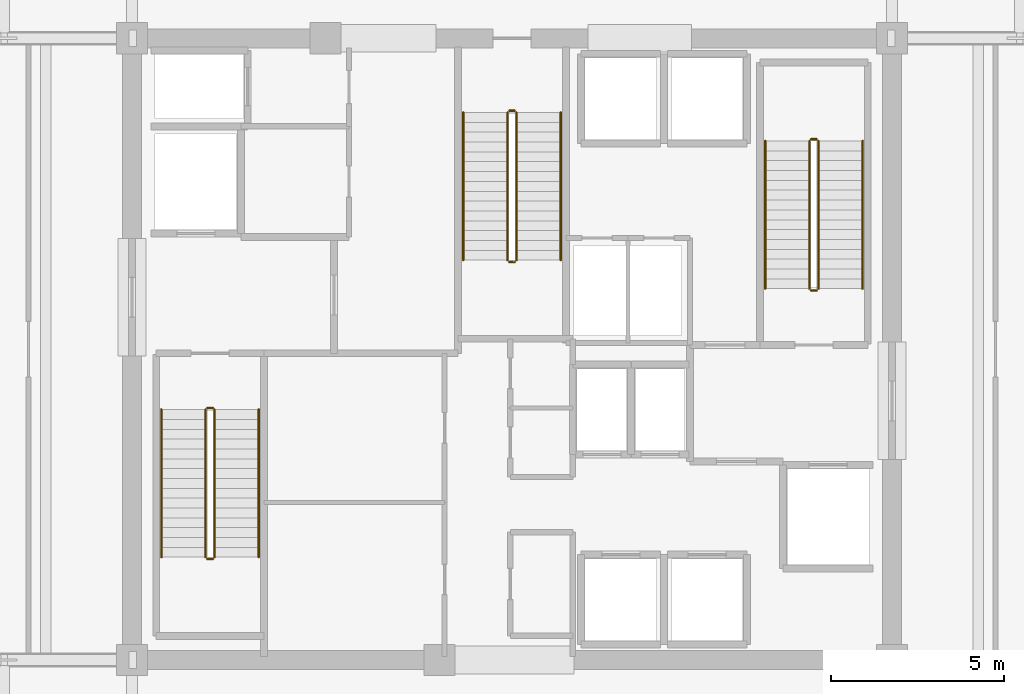
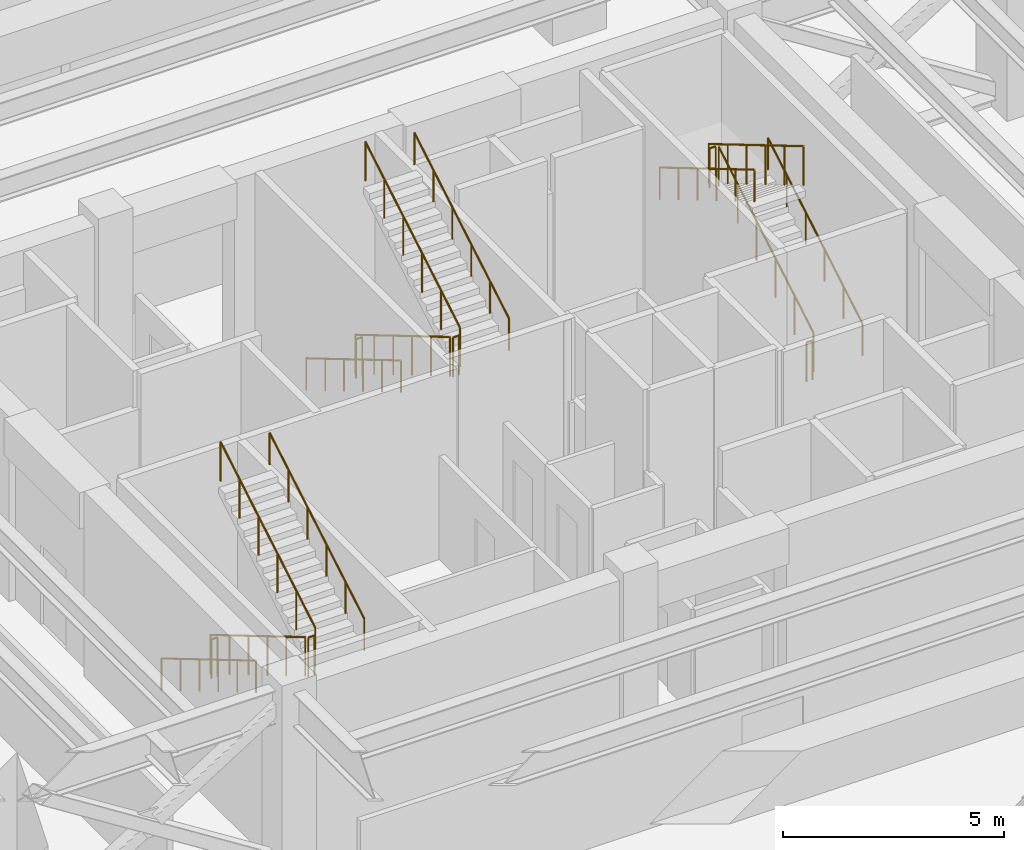
# One storey, part 21 of 21: 18 railings.
"""IFC4 building model written with IfcOpenShell, lengths in metres."""

from ifc_helpers import new_model, si_unit, direction, frame, origin, origin_2d, place, context, subcontext, project, spatial, circle, extrude, material, type_object, element, save


model = new_model("IFC4")

# Units and contexts
model_context = context("Model", 3, precision=1e-05, world=origin(), true_north=direction((0.0, 1.0)))
body_context = subcontext(model_context, "Body", "Model", "MODEL_VIEW")
ifc_project = project(units=[si_unit("LENGTHUNIT", "METRE"), si_unit("AREAUNIT", "SQUARE_METRE"), si_unit("VOLUMEUNIT", "CUBIC_METRE"), si_unit("PLANEANGLEUNIT", "RADIAN"), si_unit("MASSUNIT", "GRAM", prefix="KILO")], contexts=[model_context])

# Site, building, storey
site_placement = place(None, origin())
site = spatial("IfcSite", under=ifc_project, at=site_placement, CompositionType="ELEMENT")
building_placement = place(site_placement, origin())
building = spatial("IfcBuilding", under=site, at=building_placement, Name="Kovane Verandah Tower", CompositionType="ELEMENT")
storey_placement = place(building_placement, frame((0.0, 0.0, 189.39990234375)))
storey = spatial("IfcBuildingStorey", under=building, at=storey_placement, Name="L44", CompositionType="ELEMENT", Elevation=189.39990234375)

# Railings
ifc_material_1 = material(Name="Brushed Stainless Steel Handrail", Category="steel")
railing_type_1 = type_object("IfcRailingType", Name="RL-HAND-920", PredefinedType="HANDRAIL", material=ifc_material_1)
railing_1_placement = place(storey_placement, frame((29.85009765625, 25.75, 0.1689453125)))
element("IfcRailing", 1, at=railing_1_placement, inside=storey, type_object=railing_type_1, Name="L44 ST-01 stair handrail 1", PredefinedType="HANDRAIL", context=body_context, shape_type="SweptSolid", body=[
    extrude(circle(Radius=0.02392578125, at=origin_2d()), frame((0.0, 0.0, 0.8759765625), z_axis=(0.0, -0.860470286479, 0.509500624227), x_axis=(1.0, 0.0, 0.0)), (0.0, 0.0, 1.0), 4.968017578125),
    extrude(circle(Radius=0.02099609375, at=origin_2d()), origin(), (0.0, 0.0, 1.0), 0.851806640625),
    extrude(circle(Radius=0.02099609375, at=origin_2d()), frame((0.0, -0.85498046875, 0.50634765625)), (0.0, 0.0, 1.0), 0.851806640625),
    extrude(circle(Radius=0.02099609375, at=origin_2d()), frame((0.0, -1.7099609375, 1.012451171875)), (0.0, 0.0, 1.0), 0.851806640625),
    extrude(circle(Radius=0.02099609375, at=origin_2d()), frame((0.0, -2.56494140625, 1.518798828125)), (0.0, 0.0, 1.0), 0.851806640625),
    extrude(circle(Radius=0.02099609375, at=origin_2d()), frame((0.0, -3.419921875, 2.02490234375)), (0.0, 0.0, 1.0), 0.851806640625),
    extrude(circle(Radius=0.02099609375, at=origin_2d()), frame((0.0, -4.27490234375, 2.53125)), (0.0, 0.0, 1.0), 0.851806640625),
])
for number, where, name in (
    (2, (32.669921875, 21.47509765625, 2.868896484375), "L44 ST-01 stair handrail 2"),
    (3, (50.14990234375, 29.25, 0.1689453125), "L44 ST-02 stair handrail 1"),
):
    element("IfcRailing", number, at=place(storey_placement, frame(where)), inside=storey, type_object=railing_type_1, Name=name, PredefinedType="HANDRAIL", context=body_context, shape_type="SweptSolid", body=[
        extrude(circle(Radius=0.02392578125, at=origin_2d()), frame((0.0, 0.0, 0.8759765625), z_axis=(0.0, 0.860470286479, 0.509500624227), x_axis=(-1.0, 0.0, 0.0)), (0.0, 0.0, 1.0), 4.968017578125),
        extrude(circle(Radius=0.02099609375, at=origin_2d()), origin(), (0.0, 0.0, 1.0), 0.851806640625),
        extrude(circle(Radius=0.02099609375, at=origin_2d()), frame((0.0, 0.85498046875, 0.50634765625)), (0.0, 0.0, 1.0), 0.851806640625),
        extrude(circle(Radius=0.02099609375, at=origin_2d()), frame((0.0, 1.7099609375, 1.012451171875)), (0.0, 0.0, 1.0), 0.851806640625),
        extrude(circle(Radius=0.02099609375, at=origin_2d()), frame((0.0, 2.56494140625, 1.518798828125)), (0.0, 0.0, 1.0), 0.851806640625),
        extrude(circle(Radius=0.02099609375, at=origin_2d()), frame((0.0, 3.419921875, 2.02490234375)), (0.0, 0.0, 1.0), 0.851806640625),
        extrude(circle(Radius=0.02099609375, at=origin_2d()), frame((0.0, 4.27490234375, 2.53125)), (0.0, 0.0, 1.0), 0.851806640625),
    ])
railing_2_placement = place(storey_placement, frame((47.330078125, 33.52490234375, 2.868896484375)))
element("IfcRailing", 4, at=railing_2_placement, inside=storey, type_object=railing_type_1, Name="L44 ST-02 stair handrail 2", PredefinedType="HANDRAIL", context=body_context, shape_type="SweptSolid", body=[
    extrude(circle(Radius=0.02392578125, at=origin_2d()), frame((0.0, 0.0, 0.8759765625), z_axis=(0.0, -0.860470286479, 0.509500624227), x_axis=(1.0, 0.0, 0.0)), (0.0, 0.0, 1.0), 4.968017578125),
    extrude(circle(Radius=0.02099609375, at=origin_2d()), origin(), (0.0, 0.0, 1.0), 0.851806640625),
    extrude(circle(Radius=0.02099609375, at=origin_2d()), frame((0.0, -0.85498046875, 0.50634765625)), (0.0, 0.0, 1.0), 0.851806640625),
    extrude(circle(Radius=0.02099609375, at=origin_2d()), frame((0.0, -1.7099609375, 1.012451171875)), (0.0, 0.0, 1.0), 0.851806640625),
    extrude(circle(Radius=0.02099609375, at=origin_2d()), frame((0.0, -2.56494140625, 1.518798828125)), (0.0, 0.0, 1.0), 0.851806640625),
    extrude(circle(Radius=0.02099609375, at=origin_2d()), frame((0.0, -3.419921875, 2.02490234375)), (0.0, 0.0, 1.0), 0.851806640625),
    extrude(circle(Radius=0.02099609375, at=origin_2d()), frame((0.0, -4.27490234375, 2.53125)), (0.0, 0.0, 1.0), 0.851806640625),
])
railing_3_placement = place(storey_placement, frame((38.590087890625, 34.35009765625, 0.1689453125)))
element("IfcRailing", 5, at=railing_3_placement, inside=storey, type_object=railing_type_1, Name="L44 ST-03 stair handrail 1", PredefinedType="HANDRAIL", context=body_context, shape_type="SweptSolid", body=[
    extrude(circle(Radius=0.02392578125, at=origin_2d()), frame((0.0, 0.0, 0.8759765625), z_axis=(0.0, -0.860483042394, 0.50947908078), x_axis=(1.0, 0.0, 0.0)), (0.0, 0.0, 1.0), 4.96826171875),
    extrude(circle(Radius=0.02099609375, at=origin_2d()), origin(), (0.0, 0.0, 1.0), 0.851806640625),
    extrude(circle(Radius=0.02099609375, at=origin_2d()), frame((0.0, -0.85498046875, 0.50634765625)), (0.0, 0.0, 1.0), 0.851806640625),
    extrude(circle(Radius=0.02099609375, at=origin_2d()), frame((0.0, -1.7099609375, 1.012451171875)), (0.0, 0.0, 1.0), 0.851806640625),
    extrude(circle(Radius=0.02099609375, at=origin_2d()), frame((0.0, -2.565185546875, 1.518798828125)), (0.0, 0.0, 1.0), 0.851806640625),
    extrude(circle(Radius=0.02099609375, at=origin_2d()), frame((0.0, -3.420166015625, 2.02490234375)), (0.0, 0.0, 1.0), 0.851806640625),
    extrude(circle(Radius=0.02099609375, at=origin_2d()), frame((0.0, -4.275146484375, 2.53125)), (0.0, 0.0, 1.0), 0.851806640625),
])
railing_4_placement = place(storey_placement, frame((41.409912109375, 30.074951171875, 2.868896484375)))
element("IfcRailing", 6, at=railing_4_placement, inside=storey, type_object=railing_type_1, Name="L44 ST-03 stair handrail 2", PredefinedType="HANDRAIL", context=body_context, shape_type="SweptSolid", body=[
    extrude(circle(Radius=0.02392578125, at=origin_2d()), frame((0.0, 0.0, 0.8759765625), z_axis=(0.0, 0.860483042394, 0.50947908078), x_axis=(-1.0, 0.0, 0.0)), (0.0, 0.0, 1.0), 4.96826171875),
    extrude(circle(Radius=0.02099609375, at=origin_2d()), origin(), (0.0, 0.0, 1.0), 0.851806640625),
    extrude(circle(Radius=0.02099609375, at=origin_2d()), frame((0.0, 0.85498046875, 0.50634765625)), (0.0, 0.0, 1.0), 0.851806640625),
    extrude(circle(Radius=0.02099609375, at=origin_2d()), frame((0.0, 1.7099609375, 1.012451171875)), (0.0, 0.0, 1.0), 0.851806640625),
    extrude(circle(Radius=0.02099609375, at=origin_2d()), frame((0.0, 2.565185546875, 1.518798828125)), (0.0, 0.0, 1.0), 0.851806640625),
    extrude(circle(Radius=0.02099609375, at=origin_2d()), frame((0.0, 3.420166015625, 2.02490234375)), (0.0, 0.0, 1.0), 0.851806640625),
    extrude(circle(Radius=0.02099609375, at=origin_2d()), frame((0.0, 4.275146484375, 2.53125)), (0.0, 0.0, 1.0), 0.851806640625),
])
ifc_material_2 = material(Name="Painted Steel Stairwell Guardrail", Category="steel")
railing_type_2 = type_object("IfcRailingType", Name="RL-STGUARD-1120", PredefinedType="GUARDRAIL", material=ifc_material_2)
railing_5_placement = place(storey_placement, frame((31.1298828125, 25.75, 0.1689453125)))
element("IfcRailing", 7, at=railing_5_placement, inside=storey, type_object=railing_type_2, Name="L44 ST-01 stair guard 1", PredefinedType="GUARDRAIL", context=body_context, shape_type="SweptSolid", body=[
    extrude(circle(Radius=0.02392578125, at=origin_2d()), frame((0.0, 0.0, 1.076171875), z_axis=(0.0, -0.860470286479, 0.509500624227), x_axis=(1.0, 0.0, 0.0)), (0.0, 0.0, 1.0), 4.968017578125),
    extrude(circle(Radius=0.02099609375, at=origin_2d()), origin(), (0.0, 0.0, 1.0), 1.052001953125),
    extrude(circle(Radius=0.02099609375, at=origin_2d()), frame((0.0, -0.85498046875, 0.50634765625)), (0.0, 0.0, 1.0), 1.052001953125),
    extrude(circle(Radius=0.02099609375, at=origin_2d()), frame((0.0, -1.7099609375, 1.012451171875)), (0.0, 0.0, 1.0), 1.052001953125),
    extrude(circle(Radius=0.02099609375, at=origin_2d()), frame((0.0, -2.56494140625, 1.518798828125)), (0.0, 0.0, 1.0), 1.052001953125),
    extrude(circle(Radius=0.02099609375, at=origin_2d()), frame((0.0, -3.419921875, 2.02490234375)), (0.0, 0.0, 1.0), 1.052001953125),
    extrude(circle(Radius=0.02099609375, at=origin_2d()), frame((0.0, -4.27490234375, 2.53125)), (0.0, 0.0, 1.0), 1.052001953125),
])
railing_6_placement = place(storey_placement, frame((31.179931640625, 21.425048828125, 2.7001953125)))
element("IfcRailing", 8, at=railing_6_placement, inside=storey, type_object=railing_type_2, Name="L44 ST-01 stair guard 2", PredefinedType="GUARDRAIL", context=body_context, shape_type="SweptSolid", body=[
    extrude(circle(Radius=0.02392578125, at=origin_2d()), frame((0.0, 0.0, 1.076171875), z_axis=(1.0, 0.0, 0.0), x_axis=(0.0, 1.0, 0.0)), (0.0, 0.0, 1.0), 0.16015625),
    extrude(circle(Radius=0.02099609375, at=origin_2d()), origin(), (0.0, 0.0, 1.0), 1.052001953125),
    extrude(circle(Radius=0.02099609375, at=origin_2d()), frame((0.16015625, 0.0, 0.0)), (0.0, 0.0, 1.0), 1.052001953125),
])
railing_7_placement = place(storey_placement, frame((31.389892578125, 21.47509765625, 2.868896484375)))
element("IfcRailing", 9, at=railing_7_placement, inside=storey, type_object=railing_type_2, Name="L44 ST-01 stair guard 3", PredefinedType="GUARDRAIL", context=body_context, shape_type="SweptSolid", body=[
    extrude(circle(Radius=0.02392578125, at=origin_2d()), frame((0.0, 0.0, 1.076171875), z_axis=(0.0, 0.860470286479, 0.509500624227), x_axis=(-1.0, 0.0, 0.0)), (0.0, 0.0, 1.0), 4.968017578125),
    extrude(circle(Radius=0.02099609375, at=origin_2d()), origin(), (0.0, 0.0, 1.0), 1.052001953125),
    extrude(circle(Radius=0.02099609375, at=origin_2d()), frame((0.0, 0.85498046875, 0.50634765625)), (0.0, 0.0, 1.0), 1.052001953125),
    extrude(circle(Radius=0.02099609375, at=origin_2d()), frame((0.0, 1.7099609375, 1.012451171875)), (0.0, 0.0, 1.0), 1.052001953125),
    extrude(circle(Radius=0.02099609375, at=origin_2d()), frame((0.0, 2.56494140625, 1.518798828125)), (0.0, 0.0, 1.0), 1.052001953125),
    extrude(circle(Radius=0.02099609375, at=origin_2d()), frame((0.0, 3.419921875, 2.02490234375)), (0.0, 0.0, 1.0), 1.052001953125),
    extrude(circle(Radius=0.02099609375, at=origin_2d()), frame((0.0, 4.27490234375, 2.53125)), (0.0, 0.0, 1.0), 1.052001953125),
])
railing_8_placement = place(storey_placement, frame((31.179931640625, 25.800048828125, 0.0)))
element("IfcRailing", 10, at=railing_8_placement, inside=storey, type_object=railing_type_2, Name="L44 ST-01 stair guard 4", PredefinedType="GUARDRAIL", context=body_context, shape_type="SweptSolid", body=[
    extrude(circle(Radius=0.02392578125, at=origin_2d()), frame((0.0, 0.0, 1.076171875), z_axis=(1.0, 0.0, 0.0), x_axis=(0.0, 1.0, 0.0)), (0.0, 0.0, 1.0), 0.16015625),
    extrude(circle(Radius=0.02099609375, at=origin_2d()), origin(), (0.0, 0.0, 1.0), 1.052001953125),
    extrude(circle(Radius=0.02099609375, at=origin_2d()), frame((0.16015625, 0.0, 0.0)), (0.0, 0.0, 1.0), 1.052001953125),
])
railing_9_placement = place(storey_placement, frame((48.8701171875, 29.25, 0.1689453125)))
element("IfcRailing", 11, at=railing_9_placement, inside=storey, type_object=railing_type_2, Name="L44 ST-02 stair guard 1", PredefinedType="GUARDRAIL", context=body_context, shape_type="SweptSolid", body=[
    extrude(circle(Radius=0.02392578125, at=origin_2d()), frame((0.0, 0.0, 1.076171875), z_axis=(0.0, 0.860470286479, 0.509500624227), x_axis=(-1.0, 0.0, 0.0)), (0.0, 0.0, 1.0), 4.968017578125),
    extrude(circle(Radius=0.02099609375, at=origin_2d()), origin(), (0.0, 0.0, 1.0), 1.052001953125),
    extrude(circle(Radius=0.02099609375, at=origin_2d()), frame((0.0, 0.85498046875, 0.50634765625)), (0.0, 0.0, 1.0), 1.052001953125),
    extrude(circle(Radius=0.02099609375, at=origin_2d()), frame((0.0, 1.7099609375, 1.012451171875)), (0.0, 0.0, 1.0), 1.052001953125),
    extrude(circle(Radius=0.02099609375, at=origin_2d()), frame((0.0, 2.56494140625, 1.518798828125)), (0.0, 0.0, 1.0), 1.052001953125),
    extrude(circle(Radius=0.02099609375, at=origin_2d()), frame((0.0, 3.419921875, 2.02490234375)), (0.0, 0.0, 1.0), 1.052001953125),
    extrude(circle(Radius=0.02099609375, at=origin_2d()), frame((0.0, 4.27490234375, 2.53125)), (0.0, 0.0, 1.0), 1.052001953125),
])
railing_10_placement = place(storey_placement, frame((48.820068359375, 33.574951171875, 2.7001953125)))
element("IfcRailing", 12, at=railing_10_placement, inside=storey, type_object=railing_type_2, Name="L44 ST-02 stair guard 2", PredefinedType="GUARDRAIL", context=body_context, shape_type="SweptSolid", body=[
    extrude(circle(Radius=0.02392578125, at=origin_2d()), frame((0.0, 0.0, 1.076171875), z_axis=(-1.0, 0.0, 0.0), x_axis=(0.0, -1.0, 0.0)), (0.0, 0.0, 1.0), 0.16015625),
    extrude(circle(Radius=0.02099609375, at=origin_2d()), origin(), (0.0, 0.0, 1.0), 1.052001953125),
    extrude(circle(Radius=0.02099609375, at=origin_2d()), frame((-0.16015625, 0.0, 0.0)), (0.0, 0.0, 1.0), 1.052001953125),
])
railing_11_placement = place(storey_placement, frame((48.610107421875, 33.52490234375, 2.868896484375)))
element("IfcRailing", 13, at=railing_11_placement, inside=storey, type_object=railing_type_2, Name="L44 ST-02 stair guard 3", PredefinedType="GUARDRAIL", context=body_context, shape_type="SweptSolid", body=[
    extrude(circle(Radius=0.02392578125, at=origin_2d()), frame((0.0, 0.0, 1.076171875), z_axis=(0.0, -0.860470286479, 0.509500624227), x_axis=(1.0, 0.0, 0.0)), (0.0, 0.0, 1.0), 4.968017578125),
    extrude(circle(Radius=0.02099609375, at=origin_2d()), origin(), (0.0, 0.0, 1.0), 1.052001953125),
    extrude(circle(Radius=0.02099609375, at=origin_2d()), frame((0.0, -0.85498046875, 0.50634765625)), (0.0, 0.0, 1.0), 1.052001953125),
    extrude(circle(Radius=0.02099609375, at=origin_2d()), frame((0.0, -1.7099609375, 1.012451171875)), (0.0, 0.0, 1.0), 1.052001953125),
    extrude(circle(Radius=0.02099609375, at=origin_2d()), frame((0.0, -2.56494140625, 1.518798828125)), (0.0, 0.0, 1.0), 1.052001953125),
    extrude(circle(Radius=0.02099609375, at=origin_2d()), frame((0.0, -3.419921875, 2.02490234375)), (0.0, 0.0, 1.0), 1.052001953125),
    extrude(circle(Radius=0.02099609375, at=origin_2d()), frame((0.0, -4.27490234375, 2.53125)), (0.0, 0.0, 1.0), 1.052001953125),
])
railing_12_placement = place(storey_placement, frame((48.820068359375, 29.199951171875, 0.0)))
element("IfcRailing", 14, at=railing_12_placement, inside=storey, type_object=railing_type_2, Name="L44 ST-02 stair guard 4", PredefinedType="GUARDRAIL", context=body_context, shape_type="SweptSolid", body=[
    extrude(circle(Radius=0.02392578125, at=origin_2d()), frame((0.0, 0.0, 1.076171875), z_axis=(-1.0, 0.0, 0.0), x_axis=(0.0, -1.0, 0.0)), (0.0, 0.0, 1.0), 0.16015625),
    extrude(circle(Radius=0.02099609375, at=origin_2d()), origin(), (0.0, 0.0, 1.0), 1.052001953125),
    extrude(circle(Radius=0.02099609375, at=origin_2d()), frame((-0.16015625, 0.0, 0.0)), (0.0, 0.0, 1.0), 1.052001953125),
])
railing_13_placement = place(storey_placement, frame((39.8701171875, 34.35009765625, 0.1689453125)))
element("IfcRailing", 15, at=railing_13_placement, inside=storey, type_object=railing_type_2, Name="L44 ST-03 stair guard 1", PredefinedType="GUARDRAIL", context=body_context, shape_type="SweptSolid", body=[
    extrude(circle(Radius=0.02392578125, at=origin_2d()), frame((0.0, 0.0, 1.076171875), z_axis=(0.0, -0.860483042394, 0.50947908078), x_axis=(1.0, 0.0, 0.0)), (0.0, 0.0, 1.0), 4.96826171875),
    extrude(circle(Radius=0.02099609375, at=origin_2d()), origin(), (0.0, 0.0, 1.0), 1.052001953125),
    extrude(circle(Radius=0.02099609375, at=origin_2d()), frame((0.0, -0.85498046875, 0.50634765625)), (0.0, 0.0, 1.0), 1.052001953125),
    extrude(circle(Radius=0.02099609375, at=origin_2d()), frame((0.0, -1.7099609375, 1.012451171875)), (0.0, 0.0, 1.0), 1.052001953125),
    extrude(circle(Radius=0.02099609375, at=origin_2d()), frame((0.0, -2.565185546875, 1.518798828125)), (0.0, 0.0, 1.0), 1.052001953125),
    extrude(circle(Radius=0.02099609375, at=origin_2d()), frame((0.0, -3.420166015625, 2.02490234375)), (0.0, 0.0, 1.0), 1.052001953125),
    extrude(circle(Radius=0.02099609375, at=origin_2d()), frame((0.0, -4.275146484375, 2.53125)), (0.0, 0.0, 1.0), 1.052001953125),
])
railing_14_placement = place(storey_placement, frame((39.919921875, 30.02490234375, 2.7001953125)))
element("IfcRailing", 16, at=railing_14_placement, inside=storey, type_object=railing_type_2, Name="L44 ST-03 stair guard 2", PredefinedType="GUARDRAIL", context=body_context, shape_type="SweptSolid", body=[
    extrude(circle(Radius=0.02392578125, at=origin_2d()), frame((0.0, 0.0, 1.076171875), z_axis=(1.0, 0.0, 0.0), x_axis=(0.0, 1.0, 0.0)), (0.0, 0.0, 1.0), 0.16015625),
    extrude(circle(Radius=0.02099609375, at=origin_2d()), origin(), (0.0, 0.0, 1.0), 1.052001953125),
    extrude(circle(Radius=0.02099609375, at=origin_2d()), frame((0.16015625, 0.0, 0.0)), (0.0, 0.0, 1.0), 1.052001953125),
])
railing_15_placement = place(storey_placement, frame((40.1298828125, 30.074951171875, 2.868896484375)))
element("IfcRailing", 17, at=railing_15_placement, inside=storey, type_object=railing_type_2, Name="L44 ST-03 stair guard 3", PredefinedType="GUARDRAIL", context=body_context, shape_type="SweptSolid", body=[
    extrude(circle(Radius=0.02392578125, at=origin_2d()), frame((0.0, 0.0, 1.076171875), z_axis=(0.0, 0.860483042394, 0.50947908078), x_axis=(-1.0, 0.0, 0.0)), (0.0, 0.0, 1.0), 4.96826171875),
    extrude(circle(Radius=0.02099609375, at=origin_2d()), origin(), (0.0, 0.0, 1.0), 1.052001953125),
    extrude(circle(Radius=0.02099609375, at=origin_2d()), frame((0.0, 0.85498046875, 0.50634765625)), (0.0, 0.0, 1.0), 1.052001953125),
    extrude(circle(Radius=0.02099609375, at=origin_2d()), frame((0.0, 1.7099609375, 1.012451171875)), (0.0, 0.0, 1.0), 1.052001953125),
    extrude(circle(Radius=0.02099609375, at=origin_2d()), frame((0.0, 2.565185546875, 1.518798828125)), (0.0, 0.0, 1.0), 1.052001953125),
    extrude(circle(Radius=0.02099609375, at=origin_2d()), frame((0.0, 3.420166015625, 2.02490234375)), (0.0, 0.0, 1.0), 1.052001953125),
    extrude(circle(Radius=0.02099609375, at=origin_2d()), frame((0.0, 4.275146484375, 2.53125)), (0.0, 0.0, 1.0), 1.052001953125),
])
railing_16_placement = place(storey_placement, frame((39.919921875, 34.39990234375, 0.0)))
element("IfcRailing", 18, at=railing_16_placement, inside=storey, type_object=railing_type_2, Name="L44 ST-03 stair guard 4", PredefinedType="GUARDRAIL", context=body_context, shape_type="SweptSolid", body=[
    extrude(circle(Radius=0.02392578125, at=origin_2d()), frame((0.0, 0.0, 1.076171875), z_axis=(1.0, 0.0, 0.0), x_axis=(0.0, 1.0, 0.0)), (0.0, 0.0, 1.0), 0.16015625),
    extrude(circle(Radius=0.02099609375, at=origin_2d()), origin(), (0.0, 0.0, 1.0), 1.052001953125),
    extrude(circle(Radius=0.02099609375, at=origin_2d()), frame((0.16015625, 0.0, 0.0)), (0.0, 0.0, 1.0), 1.052001953125),
])

save(model, "model.ifc")
